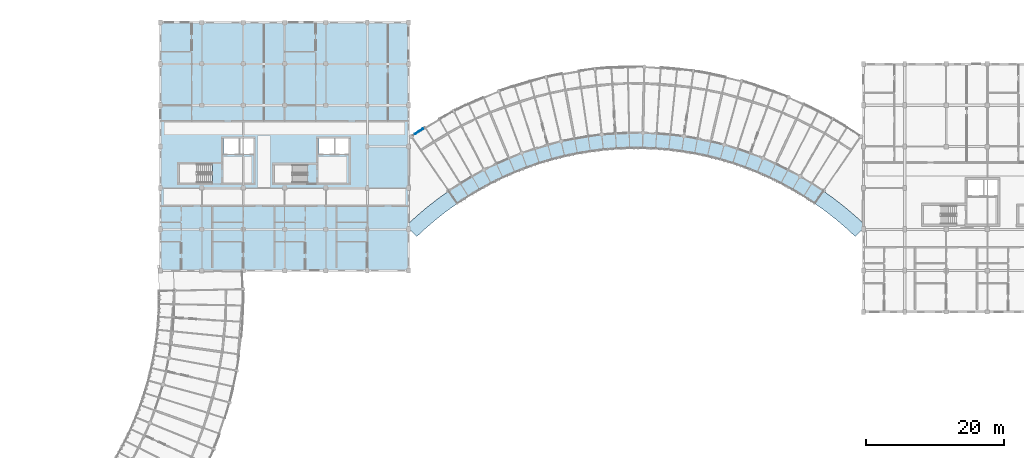
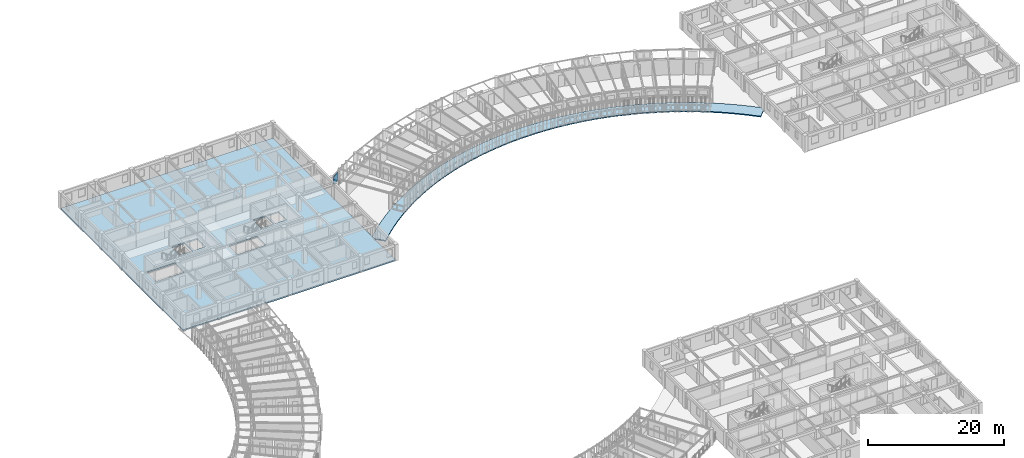
# One storey, part 49 of 100: 2 slabs, 1 plate.
"""IFC4 building model written with IfcOpenShell, lengths in metres."""

from ifc_helpers import new_model, si_unit, direction, frame, origin, origin_2d, place, context, subcontext, project, spatial, polyline, rectangle, outline, extrude, material, layer, layer_set, type_object, element, save


model = new_model("IFC4")

# Units and contexts
model_context = context("Model", 3, precision=1e-05, world=origin(), true_north=direction((0.0, 1.0)))
body_context = subcontext(model_context, "Body", "Model", "MODEL_VIEW")
ifc_project = project(units=[si_unit("LENGTHUNIT", "METRE"), si_unit("AREAUNIT", "SQUARE_METRE"), si_unit("VOLUMEUNIT", "CUBIC_METRE"), si_unit("PLANEANGLEUNIT", "RADIAN"), si_unit("MASSUNIT", "GRAM", prefix="KILO"), si_unit("POWERUNIT", "WATT"), si_unit("THERMODYNAMICTEMPERATUREUNIT", "KELVIN")], contexts=[model_context])

# Site, building, storey
site_placement = place(None, origin())
site = spatial("IfcSite", under=ifc_project, at=site_placement, CompositionType="ELEMENT")
building_placement = place(site_placement, origin())
building = spatial("IfcBuilding", under=site, at=building_placement, Name="Ruvembo Vaulted Housing Court", CompositionType="ELEMENT")
storey_placement = place(building_placement, frame((0.0, 0.0, 14.10009765625)))
storey = spatial("IfcBuildingStorey", under=building, at=storey_placement, Name="L04", CompositionType="ELEMENT", Elevation=14.10009765625)

# Plate
ifc_material_1 = material(Name="Perforated Glazed Ceramic Cobogo Block", Category="ceramic")
ifc_layer_1 = layer(ifc_material_1, 0.1201171875, Name="Perforated Glazed Ceramic Cobogo Block")
ifc_layer_set_1 = layer_set([ifc_layer_1], Name="Perforated Glazed Ceramic Cobogo Block")
plate_type = type_object("IfcPlateType", Name="PL-COBOGO-120", PredefinedType="USERDEFINED", material=ifc_layer_set_1)
plate_placement = place(storey_placement, frame((85.48974609375, 98.202392578125, 1.11962890625), z_axis=(0.0, 0.0, 1.0), x_axis=(0.83583610699, 0.548979054474, 0.0)))
element("IfcPlate", 1, at=plate_placement, inside=storey, type_object=plate_type, Name="Scoop SC3 L04 Ceramic Cobogo Screen #95", ObjectType="COBOGO_PANEL", PredefinedType="USERDEFINED", context=body_context, shape_type="SweptSolid", body=[
    extrude(rectangle(XDim=1.39990234375, YDim=0.1201171875, at=origin_2d()), origin(), (0.0, 0.0, 1.0), 1.360107421875),
])

# Slabs
ifc_material_2 = material(Name="Concrete C35/45", Category="concrete")
ifc_layer_2 = layer(ifc_material_2, 0.179931640625, Name="Concrete C35/45")
ifc_layer_set_2 = layer_set([ifc_layer_2], Name="Concrete C35/45")
slab_type_1 = type_object("IfcSlabType", Name="SL-BAL-180", PredefinedType="FLOOR", material=ifc_layer_set_2)
slab_1_placement = place(storey_placement, frame((0.0, 0.0, -0.18017578125)))
element("IfcSlab", 2, at=slab_1_placement, inside=storey, type_object=slab_type_1, Name="Scoop SC3 L04 Continuous Curved Balcony Slab", PredefinedType="FLOOR", context=body_context, shape_type="SweptSolid", body=[
    extrude(outline(polyline([(150.0, 84.172607421875), (150.0, 84.8466796875), (148.882080078125, 85.88232421875), (147.365478515625, 87.17431640625), (145.796630859375, 88.402587890625), (144.17822265625, 89.564453125), (142.512939453125, 90.658203125), (140.8037109375, 91.681884765625), (139.053466796875, 92.6337890625), (137.26513671875, 93.51220703125), (135.44189453125, 94.31591796875), (133.587158203125, 95.04296875), (131.70361328125, 95.6923828125), (129.794677734375, 96.26318359375), (127.86376953125, 96.75439453125), (125.914306640625, 97.1650390625), (123.94921875, 97.494384765625), (121.972412109375, 97.74169921875), (119.98681640625, 97.906982421875), (117.99609375, 97.98974609375), (116.00390625, 97.98974609375), (114.01318359375, 97.906982421875), (112.027587890625, 97.74169921875), (110.05078125, 97.494384765625), (108.085693359375, 97.1650390625), (106.13623046875, 96.75439453125), (104.205322265625, 96.26318359375), (102.29638671875, 95.6923828125), (100.412841796875, 95.04296875), (98.55810546875, 94.31591796875), (96.73486328125, 93.51220703125), (94.946533203125, 92.6337890625), (93.1962890625, 91.681884765625), (91.487060546875, 90.658203125), (89.82177734375, 89.564453125), (88.203369140625, 88.402587890625), (86.634521484375, 87.17431640625), (85.117919921875, 85.88232421875), (84.0, 84.8466796875), (84.0, 84.172607421875), (85.1845703125, 82.94580078125), (86.579345703125, 84.23779296875), (88.0263671875, 85.470703125), (89.523193359375, 86.642333984375), (91.0673828125, 87.751220703125), (92.656494140625, 88.794677734375), (94.287353515625, 89.771484375), (95.95751953125, 90.6796875), (97.663818359375, 91.51806640625), (99.4033203125, 92.28466796875), (101.173095703125, 92.978515625), (102.970458984375, 93.598388671875), (104.791748046875, 94.142822265625), (106.634033203125, 94.611572265625), (108.494384765625, 95.00341796875), (110.369140625, 95.3173828125), (112.255615234375, 95.5537109375), (114.150146484375, 95.711181640625), (116.049560546875, 95.7900390625), (117.950439453125, 95.7900390625), (119.849853515625, 95.711181640625), (121.744384765625, 95.5537109375), (123.630859375, 95.3173828125), (125.505615234375, 95.00341796875), (127.365966796875, 94.611572265625), (129.208251953125, 94.142822265625), (131.029541015625, 93.598388671875), (132.826904296875, 92.978515625), (134.5966796875, 92.28466796875), (136.336181640625, 91.51806640625), (138.04248046875, 90.6796875), (139.712646484375, 89.771484375), (141.343505859375, 88.794677734375), (142.9326171875, 87.751220703125), (144.476806640625, 86.642333984375), (145.9736328125, 85.470703125), (147.420654296875, 84.23779296875), (148.8154296875, 82.94580078125), (150.0, 84.172607421875)])), origin(), (0.0, 0.0, 1.0), 0.18017578125),
])
ifc_material_3 = material(Name="Concrete C30/37", Category="concrete")
ifc_layer_3 = layer(ifc_material_3, 0.239990234375, Name="Concrete C30/37")
ifc_layer_set_3 = layer_set([ifc_layer_3], Name="Concrete C30/37")
slab_type_2 = type_object("IfcSlabType", Name="SL-FLR-240", PredefinedType="FLOOR", material=ifc_layer_set_3)
slab_2_placement = place(storey_placement, frame((0.0, 0.0, -0.239990234375)))
element("IfcSlab", 3, at=slab_2_placement, inside=storey, type_object=slab_type_2, Name="Block B L04 Structural Floor Slab", PredefinedType="FLOOR", context=body_context, shape_type="SweptSolid", body=[
    extrude(outline(polyline([(84.0, 78.0), (84.0, 114.0), (48.0, 114.0), (48.0, 78.0), (84.0, 78.0)]), holes=[polyline([(55.5, 93.449951171875), (50.75, 93.449951171875), (50.75, 90.75), (55.5, 90.75), (55.5, 93.449951171875)]), polyline([(57.14990234375, 94.85009765625), (59.35009765625, 94.85009765625), (59.35009765625, 97.25), (57.14990234375, 97.25), (57.14990234375, 94.85009765625)]), polyline([(59.60009765625, 94.85009765625), (61.449951171875, 94.85009765625), (61.449951171875, 97.25), (59.60009765625, 97.25), (59.60009765625, 94.85009765625)]), polyline([(69.35009765625, 93.35009765625), (64.550048828125, 93.35009765625), (64.550048828125, 90.75), (69.35009765625, 90.75), (69.35009765625, 93.35009765625)]), polyline([(70.949951171875, 94.85009765625), (73.14990234375, 94.85009765625), (73.14990234375, 97.25), (70.949951171875, 97.25), (70.949951171875, 94.85009765625)]), polyline([(73.39990234375, 94.85009765625), (75.25, 94.85009765625), (75.25, 97.25), (73.39990234375, 97.25), (73.39990234375, 94.85009765625)])]), origin(), (0.0, 0.0, 1.0), 0.239990234375),
])

save(model, "model.ifc")
